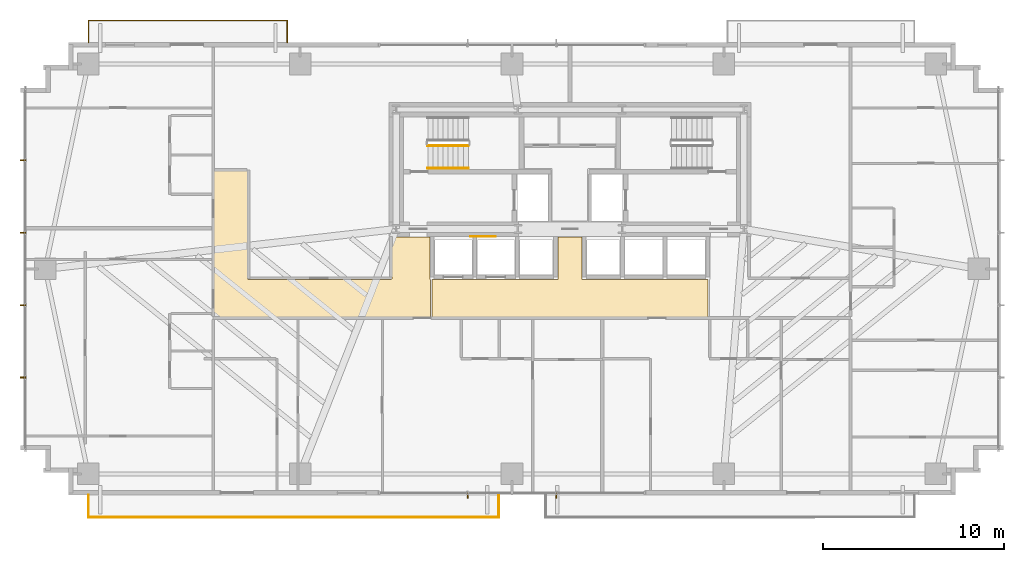
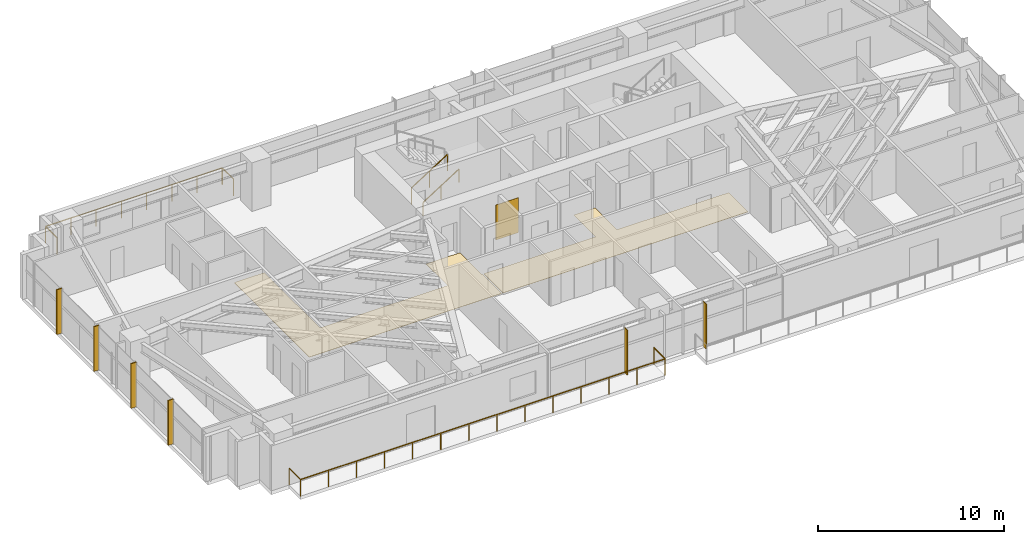
# One storey, part 23 of 25: 6 shading devices, 4 railings, 3 coverings.
"""IFC4 building model written with IfcOpenShell, lengths in metres."""

from ifc_helpers import new_model, si_unit, direction, frame, origin, origin_2d, place, context, subcontext, project, spatial, polyline, rectangle, outline, extrude, source, transform, mapped, material, layer, layer_set, type_object, type_shapes, element, save


model = new_model("IFC4")

# Units and contexts
model_context = context("Model", 3, precision=1e-05, world=origin(), true_north=direction((0.0, 1.0)))
body_context = subcontext(model_context, "Body", "Model", "MODEL_VIEW")
ifc_project = project(units=[si_unit("LENGTHUNIT", "METRE"), si_unit("AREAUNIT", "SQUARE_METRE"), si_unit("VOLUMEUNIT", "CUBIC_METRE"), si_unit("PLANEANGLEUNIT", "RADIAN"), si_unit("MASSUNIT", "GRAM", prefix="KILO")], contexts=[model_context])

# Site, building, storey
site_placement = place(None, origin())
site = spatial("IfcSite", under=ifc_project, at=site_placement, CompositionType="ELEMENT")
building_placement = place(site_placement, origin())
building = spatial("IfcBuilding", under=site, at=building_placement, Name="Astriad Promenade Condominiums", CompositionType="ELEMENT")
storey_placement = place(building_placement, frame((0.0, 0.0, 32.60009765625)))
storey = spatial("IfcBuildingStorey", under=building, at=storey_placement, Name="L08", CompositionType="ELEMENT", Elevation=32.60009765625)

# Coverings
ifc_material_1 = material(Name="Polished Lakefront Terrazzo Flooring")
ifc_layer_1 = layer(ifc_material_1, 0.02001953125)
ifc_layer_set_1 = layer_set([ifc_layer_1], Name="Polished Lakefront Terrazzo Flooring")
covering_type_1 = type_object("IfcCoveringType", Name="COV-FLOR-TERRAZZO-20", PredefinedType="FLOORING", material=ifc_layer_set_1)
covering_1_placement = place(storey_placement, origin())
element("IfcCovering", 1, at=covering_1_placement, inside=storey, type_object=covering_type_1, Name="FLR-L08-LLB", PredefinedType="FLOORING", context=body_context, shape_type="SweptSolid", body=[
    extrude(outline(polyline([(43.610107421875, 14.610107421875), (43.610107421875, 12.530029296875), (28.389892578125, 12.530029296875), (28.389892578125, 14.610107421875), (35.300048828125, 14.610107421875), (35.303955078125, 14.610107421875), (35.307861328125, 14.61083984375), (35.3115234375, 14.61181640625), (35.315185546875, 14.613037109375), (35.31884765625, 14.61474609375), (35.322265625, 14.61669921875), (35.325439453125, 14.619140625), (35.328369140625, 14.62158203125), (35.330810546875, 14.62451171875), (35.333251953125, 14.627685546875), (35.335205078125, 14.631103515625), (35.3369140625, 14.634765625), (35.33837890625, 14.638427734375), (35.339111328125, 14.64208984375), (35.33984375, 14.64599609375), (35.340087890625, 14.64990234375), (35.340087890625, 16.9599609375), (36.659912109375, 16.9599609375), (36.659912109375, 14.64990234375), (36.66015625, 14.64599609375), (36.660888671875, 14.64208984375), (36.66162109375, 14.638427734375), (36.6630859375, 14.634765625), (36.664794921875, 14.631103515625), (36.666748046875, 14.627685546875), (36.669189453125, 14.62451171875), (36.671630859375, 14.62158203125), (36.674560546875, 14.619140625), (36.677734375, 14.61669921875), (36.68115234375, 14.61474609375), (36.684814453125, 14.613037109375), (36.6884765625, 14.61181640625), (36.692138671875, 14.61083984375), (36.696044921875, 14.610107421875), (36.699951171875, 14.610107421875), (43.610107421875, 14.610107421875)])), origin(), (0.0, 0.0, 1.0), 0.02001953125),
])
covering_2_placement = place(storey_placement, origin())
element("IfcCovering", 2, at=covering_2_placement, inside=storey, type_object=covering_type_1, Name="FLR-L08-COR-2", PredefinedType="FLOORING", context=body_context, shape_type="SweptSolid", body=[
    extrude(outline(polyline([(28.300048828125, 12.530029296875), (16.340087890625, 12.530029296875), (16.340087890625, 20.610107421875), (18.2099609375, 20.610107421875), (18.2099609375, 14.659912109375), (18.210205078125, 14.656005859375), (18.210693359375, 14.652099609375), (18.211669921875, 14.6484375), (18.212890625, 14.644775390625), (18.214599609375, 14.64111328125), (18.216796875, 14.6376953125), (18.218994140625, 14.634521484375), (18.2216796875, 14.631591796875), (18.224609375, 14.629150390625), (18.227783203125, 14.626708984375), (18.231201171875, 14.624755859375), (18.234619140625, 14.623046875), (18.23828125, 14.62158203125), (18.2421875, 14.620849609375), (18.24609375, 14.6201171875), (18.25, 14.6201171875), (26.1201171875, 14.6201171875), (26.123779296875, 14.6201171875), (26.127685546875, 14.620849609375), (26.131591796875, 14.62158203125), (26.13525390625, 14.623046875), (26.138916015625, 14.624755859375), (26.14208984375, 14.626708984375), (26.1455078125, 14.629150390625), (26.148193359375, 14.631591796875), (26.15087890625, 14.634521484375), (26.1533203125, 14.6376953125), (26.1552734375, 14.64111328125), (26.156982421875, 14.644775390625), (26.158203125, 14.6484375), (26.1591796875, 14.652099609375), (26.159912109375, 14.656005859375), (26.159912109375, 14.659912109375), (26.159912109375, 16.9599609375), (28.260009765625, 16.9599609375), (28.260009765625, 14.64990234375), (28.26025390625, 14.64599609375), (28.2607421875, 14.64208984375), (28.26171875, 14.638427734375), (28.262939453125, 14.634765625), (28.2646484375, 14.631103515625), (28.2666015625, 14.627685546875), (28.26904296875, 14.62451171875), (28.271728515625, 14.62158203125), (28.274658203125, 14.619140625), (28.27783203125, 14.61669921875), (28.281005859375, 14.61474609375), (28.28466796875, 14.613037109375), (28.288330078125, 14.61181640625), (28.292236328125, 14.61083984375), (28.296142578125, 14.610107421875), (28.300048828125, 14.610107421875), (28.300048828125, 12.530029296875)])), origin(), (0.0, 0.0, 1.0), 0.02001953125),
])

# Shading devices
ifc_material_2 = material(Name="Anodised aluminium 6063-T6 Black Fin", Category="aluminium")
shading_device_type = type_object("IfcShadingDeviceType", Name="FIN-BLACK-320", PredefinedType="USERDEFINED", material=ifc_material_2)
shared_shape_1 = source(origin(), body_context, "Body", "SweptSolid", [
    extrude(rectangle(XDim=0.06494140625, YDim=0.320068359375, at=origin_2d()), origin(), (0.0, 0.0, 1.0), 2.93994140625),
])
type_shapes(shading_device_type, [shared_shape_1])
for number, where, z_axis, x_axis, name in (
    (3, (5.7900390625, 9.199951171875, 0.0), (0.0, 0.0, 1.0), (0.0, 1.0, 0.0), "CW-L08-W-FIN-01"),
    (4, (5.7900390625, 13.199951171875, 0.0), (0.0, 0.0, 1.0), (0.0, 1.0, 0.0), "CW-L08-W-FIN-02"),
    (5, (5.7900390625, 17.199951171875, 0.0), (0.0, 0.0, 1.0), (0.0, 1.0, 0.0), "CW-L08-W-FIN-03"),
    (6, (5.7900390625, 21.199951171875, 0.0), (0.0, 0.0, 1.0), (0.0, 1.0, 0.0), "CW-L08-W-FIN-04"),
    (7, (35.25, 2.68994140625, 0.0), (0.0, 0.0, 1.0), (-1.0, 0.0, 0.0), "CW-L08-S-FIN-01"),
    (8, (30.35009765625, 2.68994140625, 0.0), (0.0, 0.0, 1.0), (-1.0, 0.0, 0.0), "CW-L08-S-FIN-02"),
):
    element("IfcShadingDevice", number, at=place(storey_placement, frame(where, z_axis=z_axis, x_axis=x_axis)), inside=storey, type_object=shading_device_type, Name=name, ObjectType="FIN", PredefinedType="USERDEFINED", context=body_context, shape_type="MappedRepresentation", body=[
        mapped(shared_shape_1, transform((0.0, 0.0, 0.0), scale=1.0)),
    ])

# Railings
ifc_material_3 = material(Name="Laminated Glass and Stainless Steel Balustrade", Category="steel")
railing_type_1 = type_object("IfcRailingType", Name="GRD-BALC-1120", PredefinedType="BALUSTRADE", material=ifc_material_3)
shared_shape_2 = source(origin(), body_context, "Body", "SweptSolid", [
    extrude(rectangle(XDim=0.048095703125, YDim=0.048095703125, at=origin_2d()), frame((0.0, 0.0, 1.09619140625), z_axis=(0.0, -1.0, 0.0), x_axis=(1.0, 0.0, 0.0)), (0.0, 0.0, 1.0), 1.219970703125),
    extrude(rectangle(XDim=0.048095703125, YDim=0.048095703125, at=origin_2d()), frame((0.0, -1.219970703125, 1.09619140625), z_axis=(1.0, 0.0, 0.0), x_axis=(0.0, 1.0, 0.0)), (0.0, 0.0, 1.0), 22.663818359375),
    extrude(rectangle(XDim=0.048095703125, YDim=0.048095703125, at=origin_2d()), frame((22.663818359375, -1.219970703125, 1.09619140625), z_axis=(0.0, 1.0, 0.0), x_axis=(-1.0, 0.0, 0.0)), (0.0, 0.0, 1.0), 1.219970703125),
    extrude(rectangle(XDim=0.0419921875, YDim=0.0419921875, at=origin_2d()), origin(), (0.0, 0.0, 1.0), 1.072021484375),
    extrude(rectangle(XDim=0.0419921875, YDim=0.0419921875, at=origin_2d()), frame((0.0, -1.219970703125, 0.0)), (0.0, 0.0, 1.0), 1.072021484375),
    extrude(rectangle(XDim=0.0419921875, YDim=0.0419921875, at=origin_2d()), frame((1.743408203125, -1.219970703125, 0.0)), (0.0, 0.0, 1.0), 1.072021484375),
    extrude(rectangle(XDim=0.0419921875, YDim=0.0419921875, at=origin_2d()), frame((3.48681640625, -1.219970703125, 0.0)), (0.0, 0.0, 1.0), 1.072021484375),
    extrude(rectangle(XDim=0.0419921875, YDim=0.0419921875, at=origin_2d()), frame((5.230224609375, -1.219970703125, 0.0)), (0.0, 0.0, 1.0), 1.072021484375),
    extrude(rectangle(XDim=0.0419921875, YDim=0.0419921875, at=origin_2d()), frame((6.973388671875, -1.219970703125, 0.0)), (0.0, 0.0, 1.0), 1.072021484375),
    extrude(rectangle(XDim=0.0419921875, YDim=0.0419921875, at=origin_2d()), frame((8.716796875, -1.219970703125, 0.0)), (0.0, 0.0, 1.0), 1.072021484375),
    extrude(rectangle(XDim=0.0419921875, YDim=0.0419921875, at=origin_2d()), frame((10.460205078125, -1.219970703125, 0.0)), (0.0, 0.0, 1.0), 1.072021484375),
    extrude(rectangle(XDim=0.0419921875, YDim=0.0419921875, at=origin_2d()), frame((12.20361328125, -1.219970703125, 0.0)), (0.0, 0.0, 1.0), 1.072021484375),
    extrude(rectangle(XDim=0.0419921875, YDim=0.0419921875, at=origin_2d()), frame((13.947021484375, -1.219970703125, 0.0)), (0.0, 0.0, 1.0), 1.072021484375),
    extrude(rectangle(XDim=0.0419921875, YDim=0.0419921875, at=origin_2d()), frame((15.6904296875, -1.219970703125, 0.0)), (0.0, 0.0, 1.0), 1.072021484375),
    extrude(rectangle(XDim=0.0419921875, YDim=0.0419921875, at=origin_2d()), frame((17.43359375, -1.219970703125, 0.0)), (0.0, 0.0, 1.0), 1.072021484375),
    extrude(rectangle(XDim=0.0419921875, YDim=0.0419921875, at=origin_2d()), frame((19.177001953125, -1.219970703125, 0.0)), (0.0, 0.0, 1.0), 1.072021484375),
    extrude(rectangle(XDim=0.0419921875, YDim=0.0419921875, at=origin_2d()), frame((20.92041015625, -1.219970703125, 0.0)), (0.0, 0.0, 1.0), 1.072021484375),
    extrude(rectangle(XDim=0.0419921875, YDim=0.0419921875, at=origin_2d()), frame((22.663818359375, -1.219970703125, 0.0)), (0.0, 0.0, 1.0), 1.072021484375),
    extrude(rectangle(XDim=0.0419921875, YDim=0.0419921875, at=origin_2d()), frame((22.663818359375, 0.0, 0.0)), (0.0, 0.0, 1.0), 1.072021484375),
])
railing_1_placement = place(storey_placement, frame((9.4140625, 2.699951171875, 0.0)))
element("IfcRailing", 9, at=railing_1_placement, inside=storey, type_object=railing_type_1, Name="GRD-BALC-L08-SW", PredefinedType="BALUSTRADE", context=body_context, shape_type="MappedRepresentation", body=[
    mapped(shared_shape_2, transform((0.0, 0.0, 0.0), scale=1.0)),
])
shared_shape_3 = source(origin(), body_context, "Body", "SweptSolid", [
    extrude(rectangle(XDim=0.048095703125, YDim=0.048095703125, at=origin_2d()), frame((0.0, 0.0, 1.09619140625), z_axis=(0.0, 1.0, 0.0), x_axis=(-1.0, 0.0, 0.0)), (0.0, 0.0, 1.0), 1.219970703125),
    extrude(rectangle(XDim=0.048095703125, YDim=0.048095703125, at=origin_2d()), frame((0.0, 1.219970703125, 1.09619140625), z_axis=(-1.0, 0.0, 0.0), x_axis=(0.0, -1.0, 0.0)), (0.0, 0.0, 1.0), 10.975830078125),
    extrude(rectangle(XDim=0.048095703125, YDim=0.048095703125, at=origin_2d()), frame((-10.975830078125, 1.219970703125, 1.09619140625), z_axis=(0.0, -1.0, 0.0), x_axis=(1.0, 0.0, 0.0)), (0.0, 0.0, 1.0), 1.219970703125),
    extrude(rectangle(XDim=0.0419921875, YDim=0.0419921875, at=origin_2d()), origin(), (0.0, 0.0, 1.0), 1.072021484375),
    extrude(rectangle(XDim=0.0419921875, YDim=0.0419921875, at=origin_2d()), frame((0.0, 1.219970703125, 0.0)), (0.0, 0.0, 1.0), 1.072021484375),
    extrude(rectangle(XDim=0.0419921875, YDim=0.0419921875, at=origin_2d()), frame((-1.56787109375, 1.219970703125, 0.0)), (0.0, 0.0, 1.0), 1.072021484375),
    extrude(rectangle(XDim=0.0419921875, YDim=0.0419921875, at=origin_2d()), frame((-3.135986328125, 1.219970703125, 0.0)), (0.0, 0.0, 1.0), 1.072021484375),
    extrude(rectangle(XDim=0.0419921875, YDim=0.0419921875, at=origin_2d()), frame((-4.703857421875, 1.219970703125, 0.0)), (0.0, 0.0, 1.0), 1.072021484375),
    extrude(rectangle(XDim=0.0419921875, YDim=0.0419921875, at=origin_2d()), frame((-6.27197265625, 1.219970703125, 0.0)), (0.0, 0.0, 1.0), 1.072021484375),
    extrude(rectangle(XDim=0.0419921875, YDim=0.0419921875, at=origin_2d()), frame((-7.83984375, 1.219970703125, 0.0)), (0.0, 0.0, 1.0), 1.072021484375),
    extrude(rectangle(XDim=0.0419921875, YDim=0.0419921875, at=origin_2d()), frame((-9.407958984375, 1.219970703125, 0.0)), (0.0, 0.0, 1.0), 1.072021484375),
    extrude(rectangle(XDim=0.0419921875, YDim=0.0419921875, at=origin_2d()), frame((-10.975830078125, 1.219970703125, 0.0)), (0.0, 0.0, 1.0), 1.072021484375),
    extrude(rectangle(XDim=0.0419921875, YDim=0.0419921875, at=origin_2d()), frame((-10.975830078125, 0.0, 0.0)), (0.0, 0.0, 1.0), 1.072021484375),
])
type_shapes(railing_type_1, [shared_shape_2, shared_shape_3])
railing_2_placement = place(storey_placement, frame((20.389892578125, 27.699951171875, 0.0)))
element("IfcRailing", 10, at=railing_2_placement, inside=storey, type_object=railing_type_1, Name="GRD-BALC-L08-NW", PredefinedType="BALUSTRADE", context=body_context, shape_type="MappedRepresentation", body=[
    mapped(shared_shape_3, transform((0.0, 0.0, 0.0), scale=1.0)),
])
ifc_material_4 = material(Name="Painted Galvanised Steel Guardrail", Category="steel")
railing_type_2 = type_object("IfcRailingType", Name="GRD-STAIR-1100", PredefinedType="GUARDRAIL", material=ifc_material_4)
shared_shape_4 = source(origin(), body_context, "Body", "SweptSolid", [
    extrude(rectangle(XDim=0.048095703125, YDim=0.048095703125, at=origin_2d()), frame((0.0, 0.0, 1.076171875), z_axis=(0.8442293374, 0.0, 0.53598211339), x_axis=(0.0, 1.0, 0.0)), (0.0, 0.0, 1.0), 2.6533203125),
    extrude(rectangle(XDim=0.0419921875, YDim=0.0419921875, at=origin_2d()), origin(), (0.0, 0.0, 1.0), 1.052001953125),
    extrude(rectangle(XDim=0.0419921875, YDim=0.0419921875, at=origin_2d()), frame((1.1201171875, 0.0, 0.7109375)), (0.0, 0.0, 1.0), 1.052001953125),
    extrude(rectangle(XDim=0.0419921875, YDim=0.0419921875, at=origin_2d()), frame((2.239990234375, 0.0, 1.422119140625)), (0.0, 0.0, 1.0), 1.052001953125),
])
type_shapes(railing_type_2, [shared_shape_4])
railing_3_placement = place(storey_placement, frame((28.14990234375, 22.0, 0.177734375)))
element("IfcRailing", 11, at=railing_3_placement, inside=storey, type_object=railing_type_2, Name="L08 ST-1 stair guard 1", PredefinedType="GUARDRAIL", context=body_context, shape_type="MappedRepresentation", body=[
    mapped(shared_shape_4, transform((0.0, 0.0, 0.0), scale=1.0)),
])
ifc_material_5 = material(Name="Brushed Stainless Steel Handrail", Category="steel")
railing_type_3 = type_object("IfcRailingType", Name="HRL-STAIR-920", PredefinedType="HANDRAIL", material=ifc_material_5)
shared_shape_5 = source(origin(), body_context, "Body", "SweptSolid", [
    extrude(rectangle(XDim=0.048095703125, YDim=0.048095703125, at=origin_2d()), frame((0.0, 0.0, 0.8759765625), z_axis=(0.8442293374, 0.0, 0.53598211339), x_axis=(0.0, 1.0, 0.0)), (0.0, 0.0, 1.0), 2.6533203125),
    extrude(rectangle(XDim=0.0419921875, YDim=0.0419921875, at=origin_2d()), origin(), (0.0, 0.0, 1.0), 0.851806640625),
    extrude(rectangle(XDim=0.0419921875, YDim=0.0419921875, at=origin_2d()), frame((1.1201171875, 0.0, 0.7109375)), (0.0, 0.0, 1.0), 0.851806640625),
    extrude(rectangle(XDim=0.0419921875, YDim=0.0419921875, at=origin_2d()), frame((2.239990234375, 0.0, 1.422119140625)), (0.0, 0.0, 1.0), 0.851806640625),
])
type_shapes(railing_type_3, [shared_shape_5])
railing_4_placement = place(storey_placement, frame((28.14990234375, 20.75, 0.177734375)))
element("IfcRailing", 12, at=railing_4_placement, inside=storey, type_object=railing_type_3, Name="L08 ST-1 stair handrail 1", PredefinedType="HANDRAIL", context=body_context, shape_type="MappedRepresentation", body=[
    mapped(shared_shape_5, transform((0.0, 0.0, 0.0), scale=1.0)),
])

# Covering
ifc_material_6 = material(Name="Fire-Retardant Acoustic Oak Wall Cladding")
ifc_layer_2 = layer(ifc_material_6, 0.02490234375)
ifc_layer_set_2 = layer_set([ifc_layer_2], Name="Fire-Retardant Acoustic Oak Wall Cladding")
covering_type_2 = type_object("IfcCoveringType", Name="COV-CLAD-TIMBER-25", PredefinedType="CLADDING", material=ifc_layer_set_2)
shared_shape_6 = source(origin(), body_context, "Body", "SweptSolid", [
    extrude(rectangle(XDim=1.39990234375, YDim=0.02490234375, at=origin_2d()), origin(), (0.0, 0.0, 1.0), 2.300048828125),
])
type_shapes(covering_type_2, [shared_shape_6])
covering_3_placement = place(storey_placement, frame((31.199951171875, 16.991455078125, 0.0498046875), z_axis=(0.0, 0.0, 1.0), x_axis=(1.0, 0.0, 0.0)))
element("IfcCovering", 13, at=covering_3_placement, inside=storey, type_object=covering_type_2, Name="CLAD-LOB-L08", PredefinedType="CLADDING", context=body_context, shape_type="MappedRepresentation", body=[
    mapped(shared_shape_6, transform((0.0, 0.0, 0.0), scale=1.0)),
])

save(model, "model.ifc")
